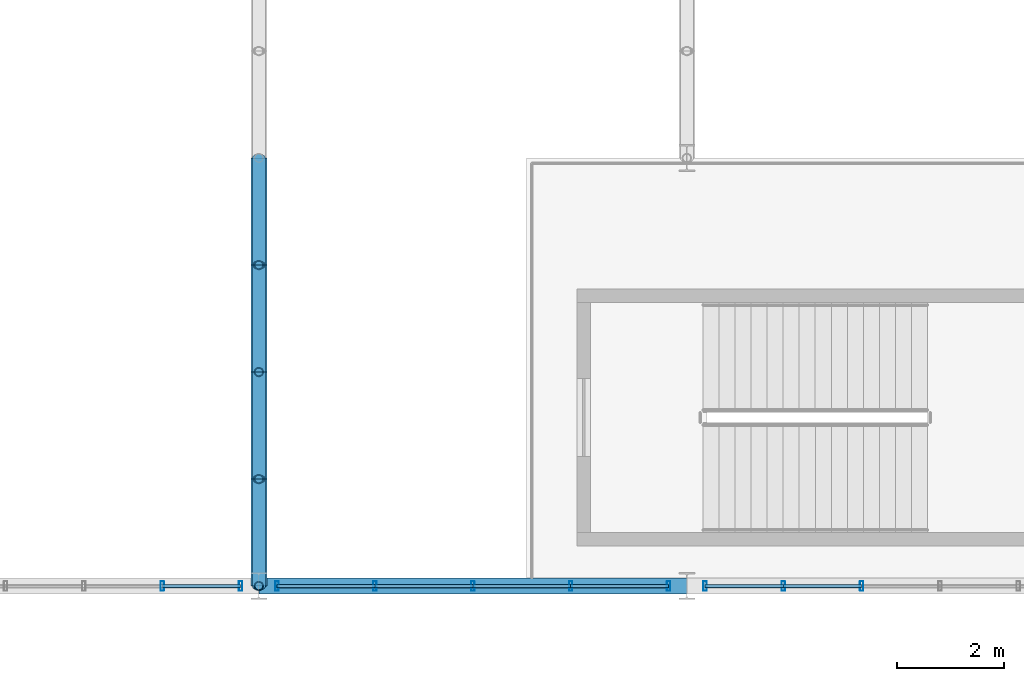
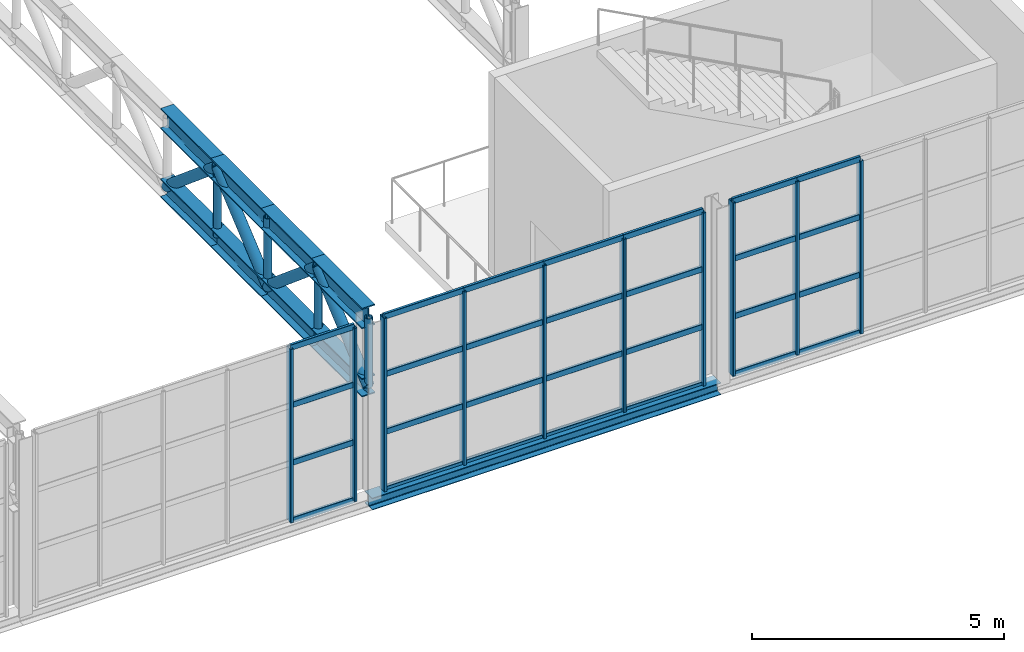
# One storey, part 81 of 143: 54 members, 1 beam, 3 elements without a shape of their own.
"""IFC4 building model written with IfcOpenShell, lengths in metres."""

from ifc_helpers import new_model, si_unit, derived_unit, direction, frame, origin, origin_2d, place, context, subcontext, project, spatial, hollow_rectangle, hollow_circle, i_section, extrude, material, material_profile, profile_set, type_object, element, aggregate, save


model = new_model("IFC4")

# Units and contexts
model_context = context("Model", 3, precision=1e-05, world=origin(), true_north=direction((0.0, 1.0)))
body_context = subcontext(model_context, "Body", "Model", "MODEL_VIEW")
ifc_project = project(units=[si_unit("LENGTHUNIT", "METRE"), si_unit("AREAUNIT", "SQUARE_METRE"), si_unit("VOLUMEUNIT", "CUBIC_METRE"), si_unit("PLANEANGLEUNIT", "RADIAN"), si_unit("MASSUNIT", "GRAM", prefix="KILO"), derived_unit("THERMALTRANSMITTANCEUNIT", [(si_unit("POWERUNIT", "WATT"), 1), (si_unit("LENGTHUNIT", "METRE"), -2), (si_unit("THERMODYNAMICTEMPERATUREUNIT", "KELVIN"), -1)])], contexts=[model_context])

# Site, building, storey
site_placement = place(None, origin())
site = spatial("IfcSite", under=ifc_project, at=site_placement, CompositionType="ELEMENT")
building_placement = place(site_placement, origin())
building = spatial("IfcBuilding", under=site, at=building_placement, Name="Keldorne Ridge Multi-Sports Centre", CompositionType="ELEMENT")
storey_placement = place(building_placement, frame((0.0, 0.0, 4.800048828125)))
storey = spatial("IfcBuildingStorey", under=building, at=storey_placement, Name="L01", CompositionType="ELEMENT", Elevation=4.800048828125)

# Beam
ifc_material_1 = material(Name="Steel S355", Category="steel")
ifc_material_profile_1 = material_profile(ifc_material_1, i_section(OverallWidth=0.300048828125, OverallDepth=0.2900390625, WebThickness=0.008544921875, FlangeThickness=0.013916015625, FilletRadius=0.027099609375, at=origin_2d()), Name="HEA 300")
ifc_profile_set_1 = profile_set([ifc_material_profile_1], Name="Steel S355")
beam_type = type_object("IfcBeamType", Name="BM-SP-04", PredefinedType="SPANDREL", material=ifc_profile_set_1)
beam_placement = place(storey_placement, frame((152.0, 6.0, -0.150146484375), z_axis=(1.0, 0.0, 0.0), x_axis=(0.0, 1.0, 0.0)))
element("IfcBeam", 1, at=beam_placement, inside=storey, type_object=beam_type, Name="Stacked Courts spandrel L01.6.7", PredefinedType="SPANDREL", context=body_context, shape_type="SweptSolid", body=[
    extrude(i_section(OverallWidth=0.300048828125, OverallDepth=0.2900390625, WebThickness=0.008544921875, FlangeThickness=0.013916015625, FilletRadius=0.027099609375, at=origin_2d()), origin(), (0.0, 0.0, 1.0), 8.0),
])

# Curtain wall, members
ifc_material_2 = material(Name="Anodized aluminium", Category="aluminium")
curtain_wall_type_1 = type_object("IfcCurtainWallType", Name="CW-CW-07", PredefinedType="NOTDEFINED", material=ifc_material_2)
curtain_wall_1_placement = place(storey_placement, origin())
curtain_wall_1 = element("IfcCurtainWall", 2, at=curtain_wall_1_placement, inside=storey, type_object=curtain_wall_type_1, Name="Lower Courts high clerestory 119", PredefinedType="NOTDEFINED")
ifc_material_profile_2 = material_profile(ifc_material_2, hollow_rectangle(XDim=0.06494140625, YDim=0.179931640625, WallThickness=0.00439453125, InnerFilletRadius=0.00439453125, OuterFilletRadius=0.009033203125, at=origin_2d()), Name="ALU MULLION 180x65x4.5")
ifc_profile_set_2 = profile_set([ifc_material_profile_2], Name="Anodized aluminium")
member_type_1 = type_object("IfcMemberType", Name="MEM-ML-01", PredefinedType="MULLION", material=ifc_profile_set_2)
member_1_placement = place(storey_placement, frame((150.196044921875, 6.0, 0.0), z_axis=(0.0, 0.0, 1.0), x_axis=(1.0, 0.0, 0.0)))
member_1 = element("IfcMember", 3, at=member_1_placement, type_object=member_type_1, Name="CW-119 vertical mullion 5", PredefinedType="MULLION", context=body_context, shape_type="SweptSolid", body=[
    extrude(hollow_rectangle(XDim=0.06494140625, YDim=0.179931640625, WallThickness=0.00439453125, InnerFilletRadius=0.00439453125, OuterFilletRadius=0.009033203125, at=origin_2d()), origin(), (0.0, 0.0, 1.0), 4.199951171875),
])
member_2_placement = place(storey_placement, frame((151.659912109375, 6.0, 0.0), z_axis=(0.0, 0.0, 1.0), x_axis=(1.0, 0.0, 0.0)))
member_2 = element("IfcMember", 4, at=member_2_placement, type_object=member_type_1, Name="CW-119 vertical mullion 6", PredefinedType="MULLION", context=body_context, shape_type="SweptSolid", body=[
    extrude(hollow_rectangle(XDim=0.06494140625, YDim=0.179931640625, WallThickness=0.00439453125, InnerFilletRadius=0.00439453125, OuterFilletRadius=0.009033203125, at=origin_2d()), origin(), (0.0, 0.0, 1.0), 4.199951171875),
])

curtain_wall_type_2 = type_object("IfcCurtainWallType", Name="CW-CW-05", PredefinedType="NOTDEFINED", material=ifc_material_2)
curtain_wall_2_placement = place(storey_placement, origin())
curtain_wall_2 = element("IfcCurtainWall", 5, at=curtain_wall_2_placement, inside=storey, type_object=curtain_wall_type_2, Name="Lower Courts high clerestory 125", PredefinedType="NOTDEFINED")
member_3_placement = place(storey_placement, frame((152.340087890625, 6.0, 0.0), z_axis=(0.0, 0.0, 1.0), x_axis=(1.0, 0.0, 0.0)))
member_3 = element("IfcMember", 6, at=member_3_placement, type_object=member_type_1, Name="CW-125 vertical mullion 1", PredefinedType="MULLION", context=body_context, shape_type="SweptSolid", body=[
    extrude(hollow_rectangle(XDim=0.06494140625, YDim=0.179931640625, WallThickness=0.00439453125, InnerFilletRadius=0.00439453125, OuterFilletRadius=0.009033203125, at=origin_2d()), origin(), (0.0, 0.0, 1.0), 4.199951171875),
])
member_4_placement = place(storey_placement, frame((154.169921875, 6.0, 0.0), z_axis=(0.0, 0.0, 1.0), x_axis=(1.0, 0.0, 0.0)))
member_4 = element("IfcMember", 7, at=member_4_placement, type_object=member_type_1, Name="CW-125 vertical mullion 2", PredefinedType="MULLION", context=body_context, shape_type="SweptSolid", body=[
    extrude(hollow_rectangle(XDim=0.06494140625, YDim=0.179931640625, WallThickness=0.00439453125, InnerFilletRadius=0.00439453125, OuterFilletRadius=0.009033203125, at=origin_2d()), origin(), (0.0, 0.0, 1.0), 4.199951171875),
])
member_5_placement = place(storey_placement, frame((156.0, 6.0, 0.0), z_axis=(0.0, 0.0, 1.0), x_axis=(1.0, 0.0, 0.0)))
member_5 = element("IfcMember", 8, at=member_5_placement, type_object=member_type_1, Name="CW-125 vertical mullion 3", PredefinedType="MULLION", context=body_context, shape_type="SweptSolid", body=[
    extrude(hollow_rectangle(XDim=0.06494140625, YDim=0.179931640625, WallThickness=0.00439453125, InnerFilletRadius=0.00439453125, OuterFilletRadius=0.009033203125, at=origin_2d()), origin(), (0.0, 0.0, 1.0), 4.199951171875),
])
member_6_placement = place(storey_placement, frame((157.830078125, 6.0, 0.0), z_axis=(0.0, 0.0, 1.0), x_axis=(1.0, 0.0, 0.0)))
member_6 = element("IfcMember", 9, at=member_6_placement, type_object=member_type_1, Name="CW-125 vertical mullion 4", PredefinedType="MULLION", context=body_context, shape_type="SweptSolid", body=[
    extrude(hollow_rectangle(XDim=0.06494140625, YDim=0.179931640625, WallThickness=0.00439453125, InnerFilletRadius=0.00439453125, OuterFilletRadius=0.009033203125, at=origin_2d()), origin(), (0.0, 0.0, 1.0), 4.199951171875),
])
member_7_placement = place(storey_placement, frame((159.659912109375, 6.0, 0.0), z_axis=(0.0, 0.0, 1.0), x_axis=(1.0, 0.0, 0.0)))
member_7 = element("IfcMember", 10, at=member_7_placement, type_object=member_type_1, Name="CW-125 vertical mullion 5", PredefinedType="MULLION", context=body_context, shape_type="SweptSolid", body=[
    extrude(hollow_rectangle(XDim=0.06494140625, YDim=0.179931640625, WallThickness=0.00439453125, InnerFilletRadius=0.00439453125, OuterFilletRadius=0.009033203125, at=origin_2d()), origin(), (0.0, 0.0, 1.0), 4.199951171875),
])

curtain_wall_type_3 = type_object("IfcCurtainWallType", Name="CW-CW-04", PredefinedType="NOTDEFINED", material=ifc_material_2)
curtain_wall_3_placement = place(storey_placement, origin())
curtain_wall_3 = element("IfcCurtainWall", 11, at=curtain_wall_3_placement, inside=storey, type_object=curtain_wall_type_3, Name="Lower Courts high clerestory 132", PredefinedType="NOTDEFINED")
member_8_placement = place(storey_placement, frame((160.340087890625, 6.0, 0.0), z_axis=(0.0, 0.0, 1.0), x_axis=(1.0, 0.0, 0.0)))
member_8 = element("IfcMember", 12, at=member_8_placement, type_object=member_type_1, Name="CW-132 vertical mullion 1", PredefinedType="MULLION", context=body_context, shape_type="SweptSolid", body=[
    extrude(hollow_rectangle(XDim=0.06494140625, YDim=0.179931640625, WallThickness=0.00439453125, InnerFilletRadius=0.00439453125, OuterFilletRadius=0.009033203125, at=origin_2d()), origin(), (0.0, 0.0, 1.0), 4.199951171875),
])
member_9_placement = place(storey_placement, frame((161.803955078125, 6.0, 0.0), z_axis=(0.0, 0.0, 1.0), x_axis=(1.0, 0.0, 0.0)))
member_9 = element("IfcMember", 13, at=member_9_placement, type_object=member_type_1, Name="CW-132 vertical mullion 2", PredefinedType="MULLION", context=body_context, shape_type="SweptSolid", body=[
    extrude(hollow_rectangle(XDim=0.06494140625, YDim=0.179931640625, WallThickness=0.00439453125, InnerFilletRadius=0.00439453125, OuterFilletRadius=0.009033203125, at=origin_2d()), origin(), (0.0, 0.0, 1.0), 4.199951171875),
])
member_10_placement = place(storey_placement, frame((163.26806640625, 6.0, 0.0), z_axis=(0.0, 0.0, 1.0), x_axis=(1.0, 0.0, 0.0)))
member_10 = element("IfcMember", 14, at=member_10_placement, type_object=member_type_1, Name="CW-132 vertical mullion 3", PredefinedType="MULLION", context=body_context, shape_type="SweptSolid", body=[
    extrude(hollow_rectangle(XDim=0.06494140625, YDim=0.179931640625, WallThickness=0.00439453125, InnerFilletRadius=0.00439453125, OuterFilletRadius=0.009033203125, at=origin_2d()), origin(), (0.0, 0.0, 1.0), 4.199951171875),
])

# Members
ifc_material_profile_3 = material_profile(ifc_material_1, i_section(OverallWidth=0.300048828125, OverallDepth=0.5, WebThickness=0.014404296875, FlangeThickness=0.028076171875, FilletRadius=0.027099609375, at=origin_2d()), Name="HEB 500")
ifc_profile_set_3 = profile_set([ifc_material_profile_3], Name="Steel S355")
member_type_2 = type_object("IfcMemberType", Name="MEM-TC-03", PredefinedType="CHORD", material=ifc_profile_set_3)
for number, where, z_axis, x_axis, name in (
    (15, (152.0, 6.0, 4.31005859375), (0.0, 1.0, 0.0), (-1.0, 0.0, 0.0), "Stacked Courts Warren TRUSS WT-L02-07 top chord 1"),
    (16, (152.0, 8.0, 4.31005859375), (0.0, 1.0, 0.0), (-1.0, 0.0, 0.0), "Stacked Courts Warren TRUSS WT-L02-07 top chord 2"),
    (17, (152.0, 10.0, 4.31005859375), (0.0, 1.0, 0.0), (-1.0, 0.0, 0.0), "Stacked Courts Warren TRUSS WT-L02-07 top chord 3"),
    (18, (152.0, 12.0, 4.31005859375), (0.0, 1.0, 0.0), (-1.0, 0.0, 0.0), "Stacked Courts Warren TRUSS WT-L02-07 top chord 4"),
):
    element("IfcMember", number, at=place(storey_placement, frame(where, z_axis=z_axis, x_axis=x_axis)), inside=storey, type_object=member_type_2, Name=name, PredefinedType="CHORD", context=body_context, shape_type="SweptSolid", body=[
        extrude(i_section(OverallWidth=0.300048828125, OverallDepth=0.5, WebThickness=0.014404296875, FlangeThickness=0.028076171875, FilletRadius=0.027099609375, at=origin_2d()), origin(), (0.0, 0.0, 1.0), 2.0),
    ])
ifc_material_profile_4 = material_profile(ifc_material_1, i_section(OverallWidth=0.300048828125, OverallDepth=0.449951171875, WebThickness=0.013916015625, FlangeThickness=0.02587890625, FilletRadius=0.027099609375, at=origin_2d()), Name="HEB 450")
ifc_profile_set_4 = profile_set([ifc_material_profile_4], Name="Steel S355")
member_type_3 = type_object("IfcMemberType", Name="MEM-TC-04", PredefinedType="CHORD", material=ifc_profile_set_4)
for number, where, z_axis, x_axis, name in (
    (19, (152.0, 6.0, 2.6298828125), (0.0, 1.0, 0.0), (-1.0, 0.0, 0.0), "Stacked Courts Warren TRUSS WT-L02-07 bottom chord 1"),
    (20, (152.0, 8.0, 2.6298828125), (0.0, 1.0, 0.0), (-1.0, 0.0, 0.0), "Stacked Courts Warren TRUSS WT-L02-07 bottom chord 2"),
    (21, (152.0, 10.0, 2.6298828125), (0.0, 1.0, 0.0), (-1.0, 0.0, 0.0), "Stacked Courts Warren TRUSS WT-L02-07 bottom chord 3"),
    (22, (152.0, 12.0, 2.6298828125), (0.0, 1.0, 0.0), (-1.0, 0.0, 0.0), "Stacked Courts Warren TRUSS WT-L02-07 bottom chord 4"),
):
    element("IfcMember", number, at=place(storey_placement, frame(where, z_axis=z_axis, x_axis=x_axis)), inside=storey, type_object=member_type_3, Name=name, PredefinedType="CHORD", context=body_context, shape_type="SweptSolid", body=[
        extrude(i_section(OverallWidth=0.300048828125, OverallDepth=0.449951171875, WebThickness=0.013916015625, FlangeThickness=0.02587890625, FilletRadius=0.027099609375, at=origin_2d()), origin(), (0.0, 0.0, 1.0), 2.0),
    ])
ifc_material_profile_5 = material_profile(ifc_material_1, hollow_circle(Radius=0.122314453125, WallThickness=0.012451171875, at=origin_2d()), Name="CHS 244.5x12.5")
ifc_profile_set_5 = profile_set([ifc_material_profile_5], Name="Steel S355")
member_type_4 = type_object("IfcMemberType", Name="MEM-TD-02", PredefinedType="BRACE", material=ifc_profile_set_5)
for number, where, z_axis, x_axis, name in (
    (23, (152.0, 6.0, 2.6298828125), (0.0, 0.765671721121, 0.643231541108), (-1.0, 0.0, 0.0), "Stacked Courts Warren TRUSS WT-L02-07 diagonal 1"),
    (24, (152.0, 8.0, 4.31005859375), (0.0, 0.765671721121, -0.643231541108), (-1.0, 0.0, 0.0), "Stacked Courts Warren TRUSS WT-L02-07 diagonal 2"),
    (25, (152.0, 10.0, 2.6298828125), (0.0, 0.765671721121, 0.643231541108), (-1.0, 0.0, 0.0), "Stacked Courts Warren TRUSS WT-L02-07 diagonal 3"),
    (26, (152.0, 12.0, 4.31005859375), (0.0, 0.765671721121, -0.643231541108), (-1.0, 0.0, 0.0), "Stacked Courts Warren TRUSS WT-L02-07 diagonal 4"),
):
    element("IfcMember", number, at=place(storey_placement, frame(where, z_axis=z_axis, x_axis=x_axis)), inside=storey, type_object=member_type_4, Name=name, PredefinedType="BRACE", context=body_context, shape_type="SweptSolid", body=[
        extrude(hollow_circle(Radius=0.122314453125, WallThickness=0.012451171875, at=origin_2d()), origin(), (0.0, 0.0, 1.0), 2.612060546875),
    ])

# Member
ifc_material_profile_6 = material_profile(ifc_material_2, hollow_rectangle(XDim=0.06494140625, YDim=0.139892578125, WallThickness=0.00439453125, InnerFilletRadius=0.00439453125, OuterFilletRadius=0.009033203125, at=origin_2d()), Name="ALU TRANSOM 140x65x4.5")
ifc_profile_set_6 = profile_set([ifc_material_profile_6], Name="Anodized aluminium")
member_type_5 = type_object("IfcMemberType", Name="MEM-TR-01", PredefinedType="USERDEFINED", material=ifc_profile_set_6)
member_11_placement = place(storey_placement, frame((150.196044921875, 6.0, 0.0), z_axis=(1.0, 0.0, 0.0), x_axis=(0.0, 1.0, 0.0)))
member_11 = element("IfcMember", 27, at=member_11_placement, type_object=member_type_5, Name="CW-119 transom 5.1", ObjectType="TRANSOM", PredefinedType="USERDEFINED", context=body_context, shape_type="SweptSolid", body=[
    extrude(hollow_rectangle(XDim=0.06494140625, YDim=0.139892578125, WallThickness=0.00439453125, InnerFilletRadius=0.00439453125, OuterFilletRadius=0.009033203125, at=origin_2d()), origin(), (0.0, 0.0, 1.0), 1.4638671875),
])

member_12_placement = place(storey_placement, frame((150.196044921875, 6.0, 1.39990234375), z_axis=(1.0, 0.0, 0.0), x_axis=(0.0, 1.0, 0.0)))
member_12 = element("IfcMember", 28, at=member_12_placement, type_object=member_type_5, Name="CW-119 transom 5.2", ObjectType="TRANSOM", PredefinedType="USERDEFINED", context=body_context, shape_type="SweptSolid", body=[
    extrude(hollow_rectangle(XDim=0.06494140625, YDim=0.139892578125, WallThickness=0.00439453125, InnerFilletRadius=0.00439453125, OuterFilletRadius=0.009033203125, at=origin_2d()), origin(), (0.0, 0.0, 1.0), 1.4638671875),
])

member_13_placement = place(storey_placement, frame((150.196044921875, 6.0, 2.800048828125), z_axis=(1.0, 0.0, 0.0), x_axis=(0.0, 1.0, 0.0)))
member_13 = element("IfcMember", 29, at=member_13_placement, type_object=member_type_5, Name="CW-119 transom 5.3", ObjectType="TRANSOM", PredefinedType="USERDEFINED", context=body_context, shape_type="SweptSolid", body=[
    extrude(hollow_rectangle(XDim=0.06494140625, YDim=0.139892578125, WallThickness=0.00439453125, InnerFilletRadius=0.00439453125, OuterFilletRadius=0.009033203125, at=origin_2d()), origin(), (0.0, 0.0, 1.0), 1.4638671875),
])

member_14_placement = place(storey_placement, frame((150.196044921875, 6.0, 4.199951171875), z_axis=(1.0, 0.0, 0.0), x_axis=(0.0, 1.0, 0.0)))
member_14 = element("IfcMember", 30, at=member_14_placement, type_object=member_type_5, Name="CW-119 transom 5.4", ObjectType="TRANSOM", PredefinedType="USERDEFINED", context=body_context, shape_type="SweptSolid", body=[
    extrude(hollow_rectangle(XDim=0.06494140625, YDim=0.139892578125, WallThickness=0.00439453125, InnerFilletRadius=0.00439453125, OuterFilletRadius=0.009033203125, at=origin_2d()), origin(), (0.0, 0.0, 1.0), 1.4638671875),
])

aggregate(curtain_wall_1, [member_1, member_2, member_11, member_12, member_13, member_14])

member_15_placement = place(storey_placement, frame((152.340087890625, 6.0, 0.0), z_axis=(1.0, 0.0, 0.0), x_axis=(0.0, 1.0, 0.0)))
member_15 = element("IfcMember", 31, at=member_15_placement, type_object=member_type_5, Name="CW-125 transom 1.1", ObjectType="TRANSOM", PredefinedType="USERDEFINED", context=body_context, shape_type="SweptSolid", body=[
    extrude(hollow_rectangle(XDim=0.06494140625, YDim=0.139892578125, WallThickness=0.00439453125, InnerFilletRadius=0.00439453125, OuterFilletRadius=0.009033203125, at=origin_2d()), origin(), (0.0, 0.0, 1.0), 1.829833984375),
])

member_16_placement = place(storey_placement, frame((152.340087890625, 6.0, 1.39990234375), z_axis=(1.0, 0.0, 0.0), x_axis=(0.0, 1.0, 0.0)))
member_16 = element("IfcMember", 32, at=member_16_placement, type_object=member_type_5, Name="CW-125 transom 1.2", ObjectType="TRANSOM", PredefinedType="USERDEFINED", context=body_context, shape_type="SweptSolid", body=[
    extrude(hollow_rectangle(XDim=0.06494140625, YDim=0.139892578125, WallThickness=0.00439453125, InnerFilletRadius=0.00439453125, OuterFilletRadius=0.009033203125, at=origin_2d()), origin(), (0.0, 0.0, 1.0), 1.829833984375),
])

member_17_placement = place(storey_placement, frame((152.340087890625, 6.0, 2.800048828125), z_axis=(1.0, 0.0, 0.0), x_axis=(0.0, 1.0, 0.0)))
member_17 = element("IfcMember", 33, at=member_17_placement, type_object=member_type_5, Name="CW-125 transom 1.3", ObjectType="TRANSOM", PredefinedType="USERDEFINED", context=body_context, shape_type="SweptSolid", body=[
    extrude(hollow_rectangle(XDim=0.06494140625, YDim=0.139892578125, WallThickness=0.00439453125, InnerFilletRadius=0.00439453125, OuterFilletRadius=0.009033203125, at=origin_2d()), origin(), (0.0, 0.0, 1.0), 1.829833984375),
])

member_18_placement = place(storey_placement, frame((152.340087890625, 6.0, 4.199951171875), z_axis=(1.0, 0.0, 0.0), x_axis=(0.0, 1.0, 0.0)))
member_18 = element("IfcMember", 34, at=member_18_placement, type_object=member_type_5, Name="CW-125 transom 1.4", ObjectType="TRANSOM", PredefinedType="USERDEFINED", context=body_context, shape_type="SweptSolid", body=[
    extrude(hollow_rectangle(XDim=0.06494140625, YDim=0.139892578125, WallThickness=0.00439453125, InnerFilletRadius=0.00439453125, OuterFilletRadius=0.009033203125, at=origin_2d()), origin(), (0.0, 0.0, 1.0), 1.829833984375),
])

member_19_placement = place(storey_placement, frame((154.169921875, 6.0, 0.0), z_axis=(1.0, 0.0, 0.0), x_axis=(0.0, 1.0, 0.0)))
member_19 = element("IfcMember", 35, at=member_19_placement, type_object=member_type_5, Name="CW-125 transom 2.1", ObjectType="TRANSOM", PredefinedType="USERDEFINED", context=body_context, shape_type="SweptSolid", body=[
    extrude(hollow_rectangle(XDim=0.06494140625, YDim=0.139892578125, WallThickness=0.00439453125, InnerFilletRadius=0.00439453125, OuterFilletRadius=0.009033203125, at=origin_2d()), origin(), (0.0, 0.0, 1.0), 1.830078125),
])

member_20_placement = place(storey_placement, frame((154.169921875, 6.0, 1.39990234375), z_axis=(1.0, 0.0, 0.0), x_axis=(0.0, 1.0, 0.0)))
member_20 = element("IfcMember", 36, at=member_20_placement, type_object=member_type_5, Name="CW-125 transom 2.2", ObjectType="TRANSOM", PredefinedType="USERDEFINED", context=body_context, shape_type="SweptSolid", body=[
    extrude(hollow_rectangle(XDim=0.06494140625, YDim=0.139892578125, WallThickness=0.00439453125, InnerFilletRadius=0.00439453125, OuterFilletRadius=0.009033203125, at=origin_2d()), origin(), (0.0, 0.0, 1.0), 1.830078125),
])

member_21_placement = place(storey_placement, frame((154.169921875, 6.0, 2.800048828125), z_axis=(1.0, 0.0, 0.0), x_axis=(0.0, 1.0, 0.0)))
member_21 = element("IfcMember", 37, at=member_21_placement, type_object=member_type_5, Name="CW-125 transom 2.3", ObjectType="TRANSOM", PredefinedType="USERDEFINED", context=body_context, shape_type="SweptSolid", body=[
    extrude(hollow_rectangle(XDim=0.06494140625, YDim=0.139892578125, WallThickness=0.00439453125, InnerFilletRadius=0.00439453125, OuterFilletRadius=0.009033203125, at=origin_2d()), origin(), (0.0, 0.0, 1.0), 1.830078125),
])

member_22_placement = place(storey_placement, frame((154.169921875, 6.0, 4.199951171875), z_axis=(1.0, 0.0, 0.0), x_axis=(0.0, 1.0, 0.0)))
member_22 = element("IfcMember", 38, at=member_22_placement, type_object=member_type_5, Name="CW-125 transom 2.4", ObjectType="TRANSOM", PredefinedType="USERDEFINED", context=body_context, shape_type="SweptSolid", body=[
    extrude(hollow_rectangle(XDim=0.06494140625, YDim=0.139892578125, WallThickness=0.00439453125, InnerFilletRadius=0.00439453125, OuterFilletRadius=0.009033203125, at=origin_2d()), origin(), (0.0, 0.0, 1.0), 1.830078125),
])

member_23_placement = place(storey_placement, frame((156.0, 6.0, 0.0), z_axis=(1.0, 0.0, 0.0), x_axis=(0.0, 1.0, 0.0)))
member_23 = element("IfcMember", 39, at=member_23_placement, type_object=member_type_5, Name="CW-125 transom 3.1", ObjectType="TRANSOM", PredefinedType="USERDEFINED", context=body_context, shape_type="SweptSolid", body=[
    extrude(hollow_rectangle(XDim=0.06494140625, YDim=0.139892578125, WallThickness=0.00439453125, InnerFilletRadius=0.00439453125, OuterFilletRadius=0.009033203125, at=origin_2d()), origin(), (0.0, 0.0, 1.0), 1.830078125),
])

member_24_placement = place(storey_placement, frame((156.0, 6.0, 1.39990234375), z_axis=(1.0, 0.0, 0.0), x_axis=(0.0, 1.0, 0.0)))
member_24 = element("IfcMember", 40, at=member_24_placement, type_object=member_type_5, Name="CW-125 transom 3.2", ObjectType="TRANSOM", PredefinedType="USERDEFINED", context=body_context, shape_type="SweptSolid", body=[
    extrude(hollow_rectangle(XDim=0.06494140625, YDim=0.139892578125, WallThickness=0.00439453125, InnerFilletRadius=0.00439453125, OuterFilletRadius=0.009033203125, at=origin_2d()), origin(), (0.0, 0.0, 1.0), 1.830078125),
])

member_25_placement = place(storey_placement, frame((156.0, 6.0, 2.800048828125), z_axis=(1.0, 0.0, 0.0), x_axis=(0.0, 1.0, 0.0)))
member_25 = element("IfcMember", 41, at=member_25_placement, type_object=member_type_5, Name="CW-125 transom 3.3", ObjectType="TRANSOM", PredefinedType="USERDEFINED", context=body_context, shape_type="SweptSolid", body=[
    extrude(hollow_rectangle(XDim=0.06494140625, YDim=0.139892578125, WallThickness=0.00439453125, InnerFilletRadius=0.00439453125, OuterFilletRadius=0.009033203125, at=origin_2d()), origin(), (0.0, 0.0, 1.0), 1.830078125),
])

member_26_placement = place(storey_placement, frame((156.0, 6.0, 4.199951171875), z_axis=(1.0, 0.0, 0.0), x_axis=(0.0, 1.0, 0.0)))
member_26 = element("IfcMember", 42, at=member_26_placement, type_object=member_type_5, Name="CW-125 transom 3.4", ObjectType="TRANSOM", PredefinedType="USERDEFINED", context=body_context, shape_type="SweptSolid", body=[
    extrude(hollow_rectangle(XDim=0.06494140625, YDim=0.139892578125, WallThickness=0.00439453125, InnerFilletRadius=0.00439453125, OuterFilletRadius=0.009033203125, at=origin_2d()), origin(), (0.0, 0.0, 1.0), 1.830078125),
])

member_27_placement = place(storey_placement, frame((157.830078125, 6.0, 0.0), z_axis=(1.0, 0.0, 0.0), x_axis=(0.0, 1.0, 0.0)))
member_27 = element("IfcMember", 43, at=member_27_placement, type_object=member_type_5, Name="CW-125 transom 4.1", ObjectType="TRANSOM", PredefinedType="USERDEFINED", context=body_context, shape_type="SweptSolid", body=[
    extrude(hollow_rectangle(XDim=0.06494140625, YDim=0.139892578125, WallThickness=0.00439453125, InnerFilletRadius=0.00439453125, OuterFilletRadius=0.009033203125, at=origin_2d()), origin(), (0.0, 0.0, 1.0), 1.829833984375),
])

member_28_placement = place(storey_placement, frame((157.830078125, 6.0, 1.39990234375), z_axis=(1.0, 0.0, 0.0), x_axis=(0.0, 1.0, 0.0)))
member_28 = element("IfcMember", 44, at=member_28_placement, type_object=member_type_5, Name="CW-125 transom 4.2", ObjectType="TRANSOM", PredefinedType="USERDEFINED", context=body_context, shape_type="SweptSolid", body=[
    extrude(hollow_rectangle(XDim=0.06494140625, YDim=0.139892578125, WallThickness=0.00439453125, InnerFilletRadius=0.00439453125, OuterFilletRadius=0.009033203125, at=origin_2d()), origin(), (0.0, 0.0, 1.0), 1.829833984375),
])

member_29_placement = place(storey_placement, frame((157.830078125, 6.0, 2.800048828125), z_axis=(1.0, 0.0, 0.0), x_axis=(0.0, 1.0, 0.0)))
member_29 = element("IfcMember", 45, at=member_29_placement, type_object=member_type_5, Name="CW-125 transom 4.3", ObjectType="TRANSOM", PredefinedType="USERDEFINED", context=body_context, shape_type="SweptSolid", body=[
    extrude(hollow_rectangle(XDim=0.06494140625, YDim=0.139892578125, WallThickness=0.00439453125, InnerFilletRadius=0.00439453125, OuterFilletRadius=0.009033203125, at=origin_2d()), origin(), (0.0, 0.0, 1.0), 1.829833984375),
])

member_30_placement = place(storey_placement, frame((157.830078125, 6.0, 4.199951171875), z_axis=(1.0, 0.0, 0.0), x_axis=(0.0, 1.0, 0.0)))
member_30 = element("IfcMember", 46, at=member_30_placement, type_object=member_type_5, Name="CW-125 transom 4.4", ObjectType="TRANSOM", PredefinedType="USERDEFINED", context=body_context, shape_type="SweptSolid", body=[
    extrude(hollow_rectangle(XDim=0.06494140625, YDim=0.139892578125, WallThickness=0.00439453125, InnerFilletRadius=0.00439453125, OuterFilletRadius=0.009033203125, at=origin_2d()), origin(), (0.0, 0.0, 1.0), 1.829833984375),
])

aggregate(curtain_wall_2, [member_3, member_4, member_5, member_6, member_7, member_15, member_16, member_17, member_18, member_19, member_20, member_21, member_22, member_23, member_24, member_25, member_26, member_27, member_28, member_29, member_30])

member_31_placement = place(storey_placement, frame((160.340087890625, 6.0, 0.0), z_axis=(1.0, 0.0, 0.0), x_axis=(0.0, 1.0, 0.0)))
member_31 = element("IfcMember", 47, at=member_31_placement, type_object=member_type_5, Name="CW-132 transom 1.1", ObjectType="TRANSOM", PredefinedType="USERDEFINED", context=body_context, shape_type="SweptSolid", body=[
    extrude(hollow_rectangle(XDim=0.06494140625, YDim=0.139892578125, WallThickness=0.00439453125, InnerFilletRadius=0.00439453125, OuterFilletRadius=0.009033203125, at=origin_2d()), origin(), (0.0, 0.0, 1.0), 1.4638671875),
])

member_32_placement = place(storey_placement, frame((160.340087890625, 6.0, 1.39990234375), z_axis=(1.0, 0.0, 0.0), x_axis=(0.0, 1.0, 0.0)))
member_32 = element("IfcMember", 48, at=member_32_placement, type_object=member_type_5, Name="CW-132 transom 1.2", ObjectType="TRANSOM", PredefinedType="USERDEFINED", context=body_context, shape_type="SweptSolid", body=[
    extrude(hollow_rectangle(XDim=0.06494140625, YDim=0.139892578125, WallThickness=0.00439453125, InnerFilletRadius=0.00439453125, OuterFilletRadius=0.009033203125, at=origin_2d()), origin(), (0.0, 0.0, 1.0), 1.4638671875),
])

member_33_placement = place(storey_placement, frame((160.340087890625, 6.0, 2.800048828125), z_axis=(1.0, 0.0, 0.0), x_axis=(0.0, 1.0, 0.0)))
member_33 = element("IfcMember", 49, at=member_33_placement, type_object=member_type_5, Name="CW-132 transom 1.3", ObjectType="TRANSOM", PredefinedType="USERDEFINED", context=body_context, shape_type="SweptSolid", body=[
    extrude(hollow_rectangle(XDim=0.06494140625, YDim=0.139892578125, WallThickness=0.00439453125, InnerFilletRadius=0.00439453125, OuterFilletRadius=0.009033203125, at=origin_2d()), origin(), (0.0, 0.0, 1.0), 1.4638671875),
])

member_34_placement = place(storey_placement, frame((160.340087890625, 6.0, 4.199951171875), z_axis=(1.0, 0.0, 0.0), x_axis=(0.0, 1.0, 0.0)))
member_34 = element("IfcMember", 50, at=member_34_placement, type_object=member_type_5, Name="CW-132 transom 1.4", ObjectType="TRANSOM", PredefinedType="USERDEFINED", context=body_context, shape_type="SweptSolid", body=[
    extrude(hollow_rectangle(XDim=0.06494140625, YDim=0.139892578125, WallThickness=0.00439453125, InnerFilletRadius=0.00439453125, OuterFilletRadius=0.009033203125, at=origin_2d()), origin(), (0.0, 0.0, 1.0), 1.4638671875),
])

member_35_placement = place(storey_placement, frame((161.803955078125, 6.0, 0.0), z_axis=(1.0, 0.0, 0.0), x_axis=(0.0, 1.0, 0.0)))
member_35 = element("IfcMember", 51, at=member_35_placement, type_object=member_type_5, Name="CW-132 transom 2.1", ObjectType="TRANSOM", PredefinedType="USERDEFINED", context=body_context, shape_type="SweptSolid", body=[
    extrude(hollow_rectangle(XDim=0.06494140625, YDim=0.139892578125, WallThickness=0.00439453125, InnerFilletRadius=0.00439453125, OuterFilletRadius=0.009033203125, at=origin_2d()), origin(), (0.0, 0.0, 1.0), 1.464111328125),
])

member_36_placement = place(storey_placement, frame((161.803955078125, 6.0, 1.39990234375), z_axis=(1.0, 0.0, 0.0), x_axis=(0.0, 1.0, 0.0)))
member_36 = element("IfcMember", 52, at=member_36_placement, type_object=member_type_5, Name="CW-132 transom 2.2", ObjectType="TRANSOM", PredefinedType="USERDEFINED", context=body_context, shape_type="SweptSolid", body=[
    extrude(hollow_rectangle(XDim=0.06494140625, YDim=0.139892578125, WallThickness=0.00439453125, InnerFilletRadius=0.00439453125, OuterFilletRadius=0.009033203125, at=origin_2d()), origin(), (0.0, 0.0, 1.0), 1.464111328125),
])

member_37_placement = place(storey_placement, frame((161.803955078125, 6.0, 2.800048828125), z_axis=(1.0, 0.0, 0.0), x_axis=(0.0, 1.0, 0.0)))
member_37 = element("IfcMember", 53, at=member_37_placement, type_object=member_type_5, Name="CW-132 transom 2.3", ObjectType="TRANSOM", PredefinedType="USERDEFINED", context=body_context, shape_type="SweptSolid", body=[
    extrude(hollow_rectangle(XDim=0.06494140625, YDim=0.139892578125, WallThickness=0.00439453125, InnerFilletRadius=0.00439453125, OuterFilletRadius=0.009033203125, at=origin_2d()), origin(), (0.0, 0.0, 1.0), 1.464111328125),
])

member_38_placement = place(storey_placement, frame((161.803955078125, 6.0, 4.199951171875), z_axis=(1.0, 0.0, 0.0), x_axis=(0.0, 1.0, 0.0)))
member_38 = element("IfcMember", 54, at=member_38_placement, type_object=member_type_5, Name="CW-132 transom 2.4", ObjectType="TRANSOM", PredefinedType="USERDEFINED", context=body_context, shape_type="SweptSolid", body=[
    extrude(hollow_rectangle(XDim=0.06494140625, YDim=0.139892578125, WallThickness=0.00439453125, InnerFilletRadius=0.00439453125, OuterFilletRadius=0.009033203125, at=origin_2d()), origin(), (0.0, 0.0, 1.0), 1.464111328125),
])

aggregate(curtain_wall_3, [member_8, member_9, member_10, member_31, member_32, member_33, member_34, member_35, member_36, member_37, member_38])

# Members
ifc_material_profile_7 = material_profile(ifc_material_1, hollow_circle(Radius=0.084228515625, WallThickness=0.010009765625, at=origin_2d()), Name="CHS 168.3x10")
ifc_profile_set_7 = profile_set([ifc_material_profile_7], Name="Steel S355")
member_type_6 = type_object("IfcMemberType", Name="MEM-TV-01", PredefinedType="STRUT", material=ifc_profile_set_7)
for number, where, z_axis, x_axis, name in (
    (55, (152.0, 6.0, 2.6298828125), (0.0, 0.0, 1.0), (1.0, 0.0, 0.0), "Stacked Courts Warren TRUSS WT-L02-07 post 1"),
    (56, (152.0, 8.0, 2.6298828125), (0.0, 0.0, 1.0), (1.0, 0.0, 0.0), "Stacked Courts Warren TRUSS WT-L02-07 post 2"),
    (57, (152.0, 10.0, 2.6298828125), (0.0, 0.0, 1.0), (1.0, 0.0, 0.0), "Stacked Courts Warren TRUSS WT-L02-07 post 3"),
    (58, (152.0, 12.0, 2.6298828125), (0.0, 0.0, 1.0), (1.0, 0.0, 0.0), "Stacked Courts Warren TRUSS WT-L02-07 post 4"),
):
    element("IfcMember", number, at=place(storey_placement, frame(where, z_axis=z_axis, x_axis=x_axis)), inside=storey, type_object=member_type_6, Name=name, PredefinedType="STRUT", context=body_context, shape_type="SweptSolid", body=[
        extrude(hollow_circle(Radius=0.084228515625, WallThickness=0.010009765625, at=origin_2d()), origin(), (0.0, 0.0, 1.0), 1.68017578125),
    ])

save(model, "model.ifc")
